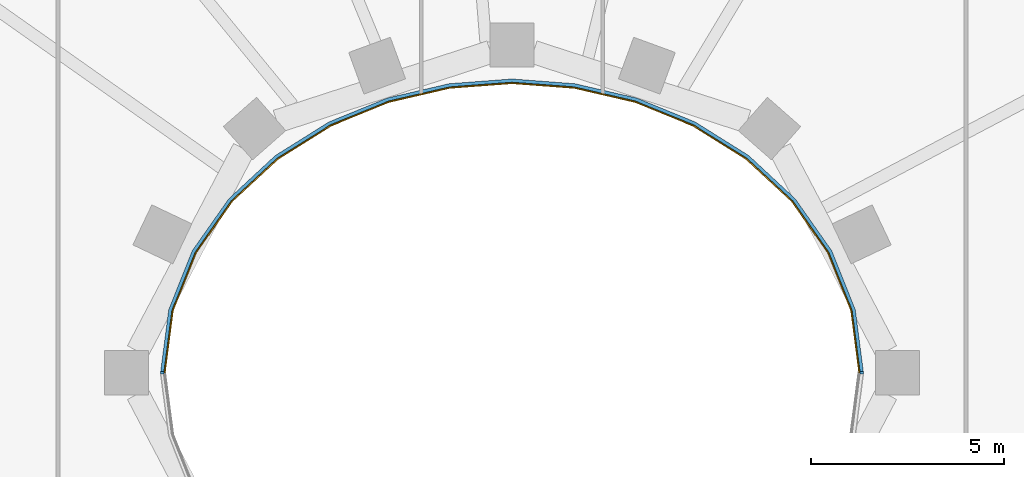
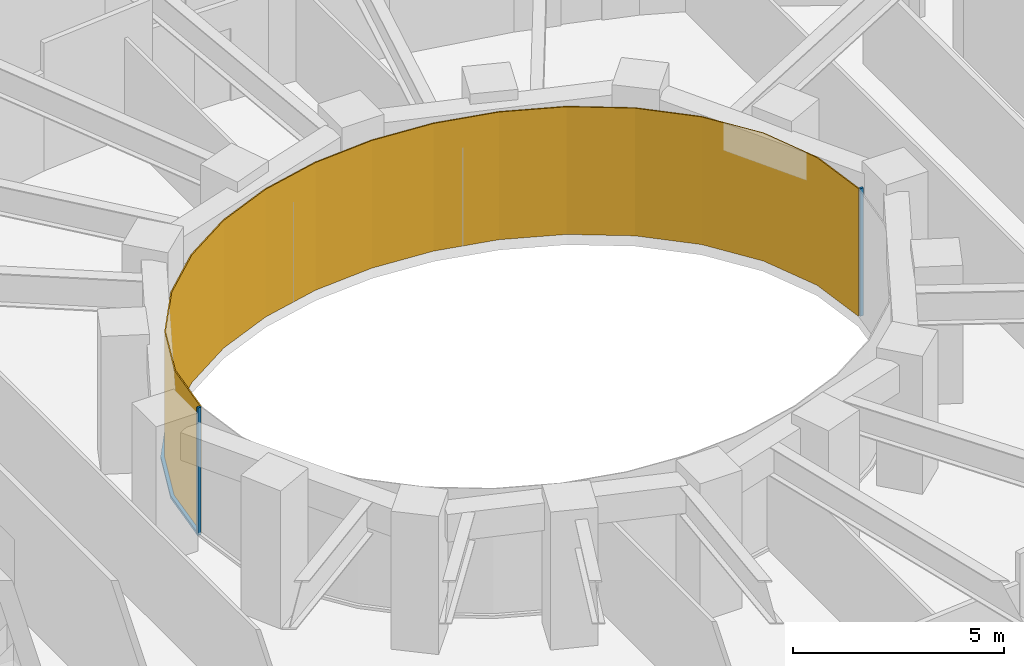
# One storey, part 12 of 16: 3 members, 1 curtain wall.
"""IFC4 building model written with IfcOpenShell, lengths in metres."""

import ifcopenshell
import ifcopenshell.guid

model = None  # the IFC model being written
_history = None  # IfcOwnerHistory: only IFC2X3 demands one
_inside = {}  # id of a spatial element -> (the spatial element, [elements in it])
_under = {}  # id of a project, library or spatial element -> (it, [spatial elements below it])
_declared = {}  # id of a project -> (the project, [libraries it declares])
_typed = {}  # id of a type object -> (the type object, [elements of that type])
_made_of = {}  # id of a material, layer set ... -> (it, [elements and type objects made of it])


def new_model(schema):
    """Start an empty IFC model of exactly this schema.

    Asked for "IFC4X3", IfcOpenShell would pick the latest addendum, in which some entities
    have other attributes; the version numbers below select the first issue.
    IFC2X3 requires an IfcOwnerHistory on every rooted entity: one is made here for all.
    """
    global model, _history
    if schema == "IFC4X3":
        model = ifcopenshell.file(schema_version=(4, 3, 0, 0))
    else:
        model = ifcopenshell.file(schema=schema)
    _inside.clear()
    _under.clear()
    _declared.clear()
    _typed.clear()
    _made_of.clear()
    _history = None
    if model.schema == "IFC2X3":
        org = make("IfcOrganization", Name="unknown")
        user = make(
            "IfcPersonAndOrganization",
            ThePerson=make("IfcPerson", FamilyName="unknown"),
            TheOrganization=org,
        )
        app = make(
            "IfcApplication",
            ApplicationDeveloper=org,
            Version="unknown",
            ApplicationFullName="unknown",
            ApplicationIdentifier="unknown",
        )
        _history = make(
            "IfcOwnerHistory",
            OwningUser=user,
            OwningApplication=app,
            ChangeAction="ADDED",
            CreationDate=0,
        )
    return model


def make(cls, **values):
    """One entity of the class cls with the attributes given. An attribute that is None is left unset."""
    return model.create_entity(
        cls, **{name: value for name, value in values.items() if value is not None}
    )


def rooted(cls, **values):
    """An entity with a GlobalId (a new one), such as an element, a storey or a relation."""
    return make(cls, GlobalId=ifcopenshell.guid.new(), OwnerHistory=_history, **values)


def si_unit(unit_type, name, prefix=None):
    """IfcSIUnit, for example si_unit("LENGTHUNIT", "METRE", prefix="MILLI")."""
    return make("IfcSIUnit", UnitType=unit_type, Prefix=prefix, Name=name)


def assignment(units):
    """IfcUnitAssignment: the units of a project."""
    return None if units is None else make("IfcUnitAssignment", Units=units)


def point(xyz):
    """IfcCartesianPoint."""
    return None if xyz is None else make("IfcCartesianPoint", Coordinates=xyz)


def direction(xyz):
    """IfcDirection."""
    return None if xyz is None else make("IfcDirection", DirectionRatios=xyz)


def frame(location, z_axis=None, x_axis=None):
    """IfcAxis2Placement3D, a coordinate frame: its origin and axes. An axis left out is left unset."""
    return make(
        "IfcAxis2Placement3D",
        Location=point(location),
        Axis=direction(z_axis),
        RefDirection=direction(x_axis),
    )


def frame_2d(location, x_axis=None):
    """IfcAxis2Placement2D, a coordinate frame in the plane: its origin and x axis."""
    return make(
        "IfcAxis2Placement2D", Location=point(location), RefDirection=direction(x_axis)
    )


def origin():
    """The frame at (0, 0, 0) with its axes left unset."""
    return frame((0.0, 0.0, 0.0))


def origin_2d():
    """The frame at (0, 0) in the plane with its x axis left unset."""
    return frame_2d((0.0, 0.0))


def place(relative_to, where):
    """IfcLocalPlacement: puts the frame where relative to a parent placement (None: the world)."""
    return make(
        "IfcLocalPlacement", PlacementRelTo=relative_to, RelativePlacement=where
    )


def context(
    kind, dimensions, precision=None, world=None, true_north=None, identifier=None
):
    """IfcGeometricRepresentationContext, for example the 3D "Model" context."""
    return make(
        "IfcGeometricRepresentationContext",
        ContextIdentifier=identifier,
        ContextType=kind,
        CoordinateSpaceDimension=dimensions,
        Precision=precision,
        WorldCoordinateSystem=world,
        TrueNorth=true_north,
    )


def subcontext(parent, identifier, kind, view, scale=None):
    """IfcGeometricRepresentationSubContext, for example "Body" below "Model"."""
    return make(
        "IfcGeometricRepresentationSubContext",
        ContextIdentifier=identifier,
        ContextType=kind,
        ParentContext=parent,
        TargetScale=scale,
        TargetView=view,
    )


def project(units=None, contexts=None):
    """IfcProject with its units and contexts."""
    return rooted(
        "IfcProject",
        Name="project",
        RepresentationContexts=contexts,
        UnitsInContext=assignment(units),
    )


def spatial(cls, under=None, at=None, **own):
    """A site, building, storey or space (cls), placed at a placement, below another one or the project."""
    s = rooted(cls, ObjectPlacement=at, **own)
    if under is not None:
        _under.setdefault(under.id(), (under, []))[1].append(s)
    return s


def polyline(points):
    """IfcPolyline through the points."""
    return make("IfcPolyline", Points=[point(p) for p in points])


def profile(cls, at=None, kind="AREA", **sizes):
    """A parametric profile (cls). Its sizes go by their IFC names, for example OverallWidth=200.0."""
    return make(cls, ProfileType=kind, Position=at, **sizes)


def rectangle(**sizes):
    """IfcRectangleProfileDef."""
    return profile("IfcRectangleProfileDef", **sizes)


def outline(outer, holes=None, kind="AREA"):
    """IfcArbitraryClosedProfileDef: a profile drawn as a closed curve; with holes, ...WithVoids."""
    if holes is None:
        return make("IfcArbitraryClosedProfileDef", ProfileType=kind, OuterCurve=outer)
    return make(
        "IfcArbitraryProfileDefWithVoids",
        ProfileType=kind,
        OuterCurve=outer,
        InnerCurves=holes,
    )


def extrude(swept, where, along, depth):
    """IfcExtrudedAreaSolid: the profile swept, set in the frame where, extruded along a direction by depth."""
    return make(
        "IfcExtrudedAreaSolid",
        SweptArea=swept,
        Position=where,
        ExtrudedDirection=direction(along),
        Depth=depth,
    )


def shape(context_of_items, identifier, shape_type, items):
    """IfcShapeRepresentation: the items that make up one representation, for example the "Body"."""
    return make(
        "IfcShapeRepresentation",
        ContextOfItems=context_of_items,
        RepresentationIdentifier=identifier,
        RepresentationType=shape_type,
        Items=items,
    )


def material(Name=None, Category=None):
    """IfcMaterial."""
    return make("IfcMaterial", Name=Name, Category=Category)


def layer(
    of_material, thickness, ventilated=None, Name=None, Category=None, Priority=None
):
    """IfcMaterialLayer: one layer of a wall or slab, of a material (None: an air gap)."""
    return make(
        "IfcMaterialLayer",
        Material=of_material,
        LayerThickness=thickness,
        IsVentilated=ventilated,
        Name=Name,
        Category=Category,
        Priority=Priority,
    )


def layer_set(layers, Name=None):
    """IfcMaterialLayerSet."""
    return make("IfcMaterialLayerSet", MaterialLayers=layers, LayerSetName=Name)


def material_profile(
    of_material, cross_section, Name=None, Category=None, Priority=None
):
    """IfcMaterialProfile: a cross section and its material."""
    return make(
        "IfcMaterialProfile",
        Name=Name,
        Material=of_material,
        Profile=cross_section,
        Priority=Priority,
        Category=Category,
    )


def profile_set(profiles, Name=None, composite=None):
    """IfcMaterialProfileSet."""
    return make(
        "IfcMaterialProfileSet",
        Name=Name,
        MaterialProfiles=profiles,
        CompositeProfile=composite,
    )


def made_of(thing, what):
    """Note that an element or type object is made of a material, layer set ...; save() writes the relation."""
    if what is not None:
        _made_of.setdefault(what.id(), (what, []))[1].append(thing)
    return thing


def type_object(cls, material=None, **own):
    """A type object (cls), such as IfcWallType, which elements share."""
    return made_of(rooted(cls, **own), material)


def element(
    cls,
    number,
    at=None,
    inside=None,
    cuts=None,
    type_object=None,
    material=None,
    context=None,
    identifier="Body",
    shape_type=None,
    held_by="IfcProductDefinitionShape",
    body=None,
    shapes=None,
    **own,
):
    """One element of the class cls, such as IfcWall. Its Tag is "e" and its number.

    at: its placement. inside: the storey or other place that contains it. cuts: it is an
    opening in that element (IfcRelVoidsElement). A single representation is given by context,
    identifier, shape_type and body (its items); several are given by shapes. held_by: the class
    of the entity that holds the representations. save() writes the other relations.
    """
    e = rooted(cls, Tag="e%d" % number, ObjectPlacement=at, **own)
    if body is not None:
        shapes = [shape(context, identifier, shape_type, body)]
    if shapes is not None:
        e.Representation = make(held_by, Representations=shapes)
    if inside is not None:
        _inside.setdefault(inside.id(), (inside, []))[1].append(e)
    if cuts is not None:
        rooted(
            "IfcRelVoidsElement", RelatingBuildingElement=cuts, RelatedOpeningElement=e
        )
    if type_object is not None:
        _typed.setdefault(type_object.id(), (type_object, []))[1].append(e)
    return made_of(e, material)


def aggregate(whole, parts):
    """IfcRelAggregates: a whole, such as a stair, and the parts it consists of."""
    return rooted("IfcRelAggregates", RelatingObject=whole, RelatedObjects=parts)


def save(model, path):
    """Write the relations noted so far, then the file.

    IfcRelAggregates (storeys below a building ...), IfcRelContainedInSpatialStructure (elements
    in a storey), IfcRelDefinesByType, IfcRelAssociatesMaterial and IfcRelDeclares: one each for
    every whole, place, type object, material and project.
    """
    for whole, parts in _under.values():
        aggregate(whole, parts)
    for where, things in _inside.values():
        rooted(
            "IfcRelContainedInSpatialStructure",
            RelatedElements=things,
            RelatingStructure=where,
        )
    for kind, things in _typed.values():
        rooted("IfcRelDefinesByType", RelatedObjects=things, RelatingType=kind)
    for what, things in _made_of.values():
        rooted("IfcRelAssociatesMaterial", RelatedObjects=things, RelatingMaterial=what)
    for by, libraries in _declared.values():
        rooted("IfcRelDeclares", RelatingContext=by, RelatedDefinitions=libraries)
    model.write(path)


model = new_model("IFC4")

# Units and contexts
model_context = context("Model", 3, precision=1e-05, world=origin(), true_north=direction((0.0, 1.0)))
body_context = subcontext(model_context, "Body", "Model", "MODEL_VIEW")
ifc_project = project(units=[si_unit("LENGTHUNIT", "METRE"), si_unit("AREAUNIT", "SQUARE_METRE"), si_unit("VOLUMEUNIT", "CUBIC_METRE"), si_unit("PLANEANGLEUNIT", "RADIAN"), si_unit("MASSUNIT", "GRAM", prefix="KILO")], contexts=[model_context])

# Member
ifc_material_1 = material(Name="Steel S355 fire-resisting frame", Category="steel")
ifc_material_profile = material_profile(ifc_material_1, rectangle(XDim=0.090087890625, YDim=0.06005859375, at=origin_2d()), Name="90x60")
ifc_profile_set = profile_set([ifc_material_profile], Name="Steel S355 fire-resisting frame")
member_type_1 = type_object("IfcMemberType", Name="ENV-MULLION-W-90", PredefinedType="MULLION", material=ifc_profile_set)
site_placement = place(None, origin())
building_placement = place(site_placement, origin())
storey_placement = place(building_placement, frame((0.0, 0.0, 132.0)))
member_1_placement = place(storey_placement, frame((9.076904296875, 0.0, 0.0), z_axis=(0.0, 0.0, 1.0), x_axis=(1.0, 0.0, 0.0)))
member_1 = element("IfcMember", 1, at=member_1_placement, type_object=member_type_1, Name="Mullion W well vertex 01", PredefinedType="MULLION", context=body_context, shape_type="SweptSolid", body=[
    extrude(rectangle(XDim=0.090087890625, YDim=0.06005859375, at=origin_2d()), origin(), (0.0, 0.0, 1.0), 3.699951171875),
])

member_2_placement = place(storey_placement, frame((-9.076904296875, 0.0, 0.0), z_axis=(0.0, 0.0, 1.0), x_axis=(-1.0, 0.0, 0.0)))
member_2 = element("IfcMember", 2, at=member_2_placement, type_object=member_type_1, Name="Mullion W well vertex 17", PredefinedType="MULLION", context=body_context, shape_type="SweptSolid", body=[
    extrude(rectangle(XDim=0.090087890625, YDim=0.06005859375, at=origin_2d()), origin(), (0.0, 0.0, 1.0), 3.699951171875),
])

ifc_material_2 = material(Name="Steel S355 fire-resisting frame", Category="steel")
member_type_2 = type_object("IfcMemberType", Name="ENV-TRANSOM-W", PredefinedType="USERDEFINED", material=ifc_material_2)
member_3_placement = place(storey_placement, origin())
member_3 = element("IfcMember", 3, at=member_3_placement, type_object=member_type_2, Name="Transom W well 01-17", ObjectType="TRANSOM", PredefinedType="USERDEFINED", context=body_context, shape_type="SweptSolid", body=[
    extrude(outline(polyline([(9.119384765625, 0.02783203125), (8.910400390625, 1.63623046875), (8.29833984375, 3.167236328125), (7.35107421875, 4.5146484375), (6.1455078125, 5.6337890625), (4.75341796875, 6.50634765625), (3.233642578125, 7.127685546875), (1.635498046875, 7.498779296875), (0.0, 7.622314453125), (-1.635498046875, 7.498779296875), (-3.233642578125, 7.127685546875), (-4.75341796875, 6.50634765625), (-6.1455078125, 5.6337890625), (-7.35107421875, 4.5146484375), (-8.29833984375, 3.167236328125), (-8.910400390625, 1.63623046875), (-9.119384765625, 0.02783203125), (-9.02880859375, 0.02783203125), (-8.822509765625, 1.61328125), (-8.21875, 3.124267578125), (-7.282958984375, 4.455078125), (-6.090576171875, 5.56201171875), (-4.712158203125, 6.426025390625), (-3.206298828125, 7.04150390625), (-1.621826171875, 7.40966796875), (0.0, 7.531982421875), (1.621826171875, 7.40966796875), (3.206298828125, 7.04150390625), (4.712158203125, 6.426025390625), (6.090576171875, 5.56201171875), (7.282958984375, 4.455078125), (8.21875, 3.124267578125), (8.822509765625, 1.61328125), (9.02880859375, 0.02783203125), (9.119384765625, 0.02783203125)])), origin(), (0.0, 0.0, 1.0), 0.080078125),
])

# Site, building, storey
site = spatial("IfcSite", under=ifc_project, at=site_placement, CompositionType="ELEMENT")
building = spatial("IfcBuilding", under=site, at=building_placement, Name="Noorbagh Ring Tower", CompositionType="ELEMENT")
storey = spatial("IfcBuildingStorey", under=building, at=storey_placement, Name="L30", CompositionType="ELEMENT", Elevation=132.0)

# Curtain wall
ifc_material_3 = material(Name="Glass fire-resisting E60 laminated", Category="glass")
ifc_layer = layer(ifc_material_3, 0.031982421875)
ifc_layer_set = layer_set([ifc_layer], Name="Glass fire-resisting E60 laminated")
curtain_wall_type = type_object("IfcCurtainWallType", Name="ENV-CW-W", PredefinedType="NOTDEFINED", material=ifc_layer_set)
curtain_wall_placement = place(storey_placement, origin())
curtain_wall = element("IfcCurtainWall", 4, at=curtain_wall_placement, inside=storey, type_object=curtain_wall_type, Name="Curtain wall W W01", PredefinedType="NOTDEFINED", context=body_context, shape_type="SweptSolid", body=[
    extrude(outline(polyline([(9.0322265625, 0.0), (8.822509765625, 1.61328125), (8.21875, 3.124267578125), (7.282958984375, 4.455078125), (6.090576171875, 5.56201171875), (4.712158203125, 6.426025390625), (3.206298828125, 7.04150390625), (1.621826171875, 7.40966796875), (0.0, 7.531982421875), (-1.621826171875, 7.40966796875), (-3.206298828125, 7.04150390625), (-4.712158203125, 6.426025390625), (-6.090576171875, 5.56201171875), (-7.282958984375, 4.455078125), (-8.21875, 3.124267578125), (-8.822509765625, 1.61328125), (-9.0322265625, 0.0), (-9.0, 0.0), (-8.79150390625, 1.605224609375), (-8.1904296875, 3.10888671875), (-7.2587890625, 4.43408203125), (-6.071044921875, 5.53662109375), (-4.697509765625, 6.3974609375), (-3.196533203125, 7.010986328125), (-1.6171875, 7.3779296875), (0.0, 7.5), (1.6171875, 7.3779296875), (3.196533203125, 7.010986328125), (4.697509765625, 6.3974609375), (6.071044921875, 5.53662109375), (7.2587890625, 4.43408203125), (8.1904296875, 3.10888671875), (8.79150390625, 1.605224609375), (9.0, 0.0), (9.0322265625, 0.0)])), origin(), (0.0, 0.0, 1.0), 3.699951171875),
])

aggregate(curtain_wall, [member_1, member_2, member_3])

save(model, "model.ifc")
